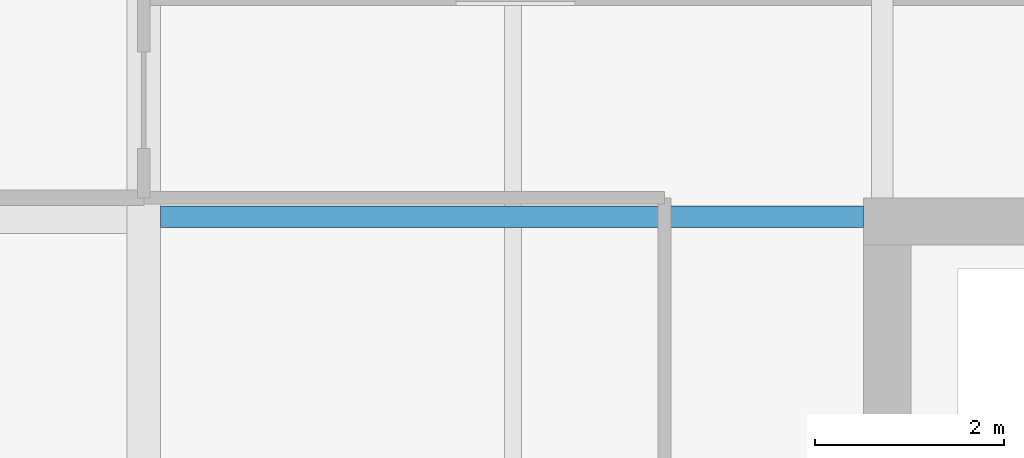
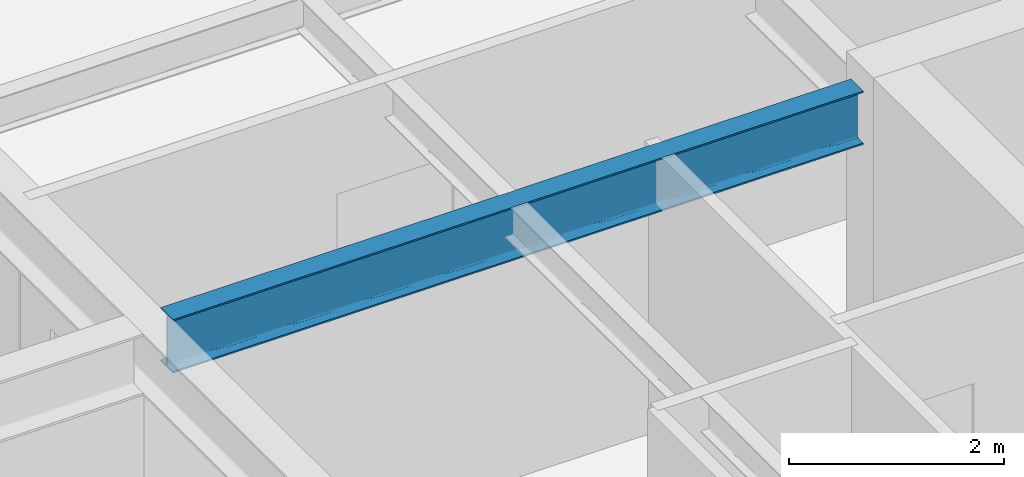
# One storey, part 18 of 33: 1 beam.
"""IFC4 building model written with IfcOpenShell, lengths in metres."""

from ifc_helpers import new_model, si_unit, direction, frame, origin, origin_2d, place, context, subcontext, project, spatial, i_section, extrude, material, material_profile, profile_set, type_object, element, save


model = new_model("IFC4")

# Units and contexts
model_context = context("Model", 3, precision=1e-05, world=origin(), true_north=direction((0.0, 1.0)))
body_context = subcontext(model_context, "Body", "Model", "MODEL_VIEW")
ifc_project = project(units=[si_unit("LENGTHUNIT", "METRE"), si_unit("AREAUNIT", "SQUARE_METRE"), si_unit("VOLUMEUNIT", "CUBIC_METRE"), si_unit("PLANEANGLEUNIT", "RADIAN"), si_unit("MASSUNIT", "GRAM", prefix="KILO")], contexts=[model_context])

# Site, building, storey
site_placement = place(None, origin())
site = spatial("IfcSite", under=ifc_project, at=site_placement, CompositionType="ELEMENT")
building_placement = place(site_placement, origin())
building = spatial("IfcBuilding", under=site, at=building_placement, Name="Drelvath Grand Hotel", CompositionType="ELEMENT")
storey_placement = place(building_placement, frame((0.0, 0.0, 178.800048828125)))
storey = spatial("IfcBuildingStorey", under=building, at=storey_placement, Name="L46", CompositionType="ELEMENT", Elevation=178.800048828125)

# Beam
ifc_material = material(Name="Steel ASTM A992 Gr 50", Category="steel")
ifc_material_profile = material_profile(ifc_material, i_section(OverallWidth=0.228271484375, OverallDepth=0.607666015625, WebThickness=0.01123046875, FlangeThickness=0.017333984375, FilletRadius=0.02001953125, at=origin_2d()), Name="W24X76")
ifc_profile_set = profile_set([ifc_material_profile], Name="Steel ASTM A992 Gr 50")
beam_type = type_object("IfcBeamType", Name="Primary Floor Girder W24X76", PredefinedType="BEAM", material=ifc_profile_set)
beam_placement = place(storey_placement, frame((-16.022705078125, 35.39990234375, 2.986083984375), z_axis=(1.0, 0.0, 0.0), x_axis=(0.0, 1.0, 0.0)))
element("IfcBeam", 1, at=beam_placement, inside=storey, type_object=beam_type, Name="L46 West Core Tie F", PredefinedType="BEAM", context=body_context, shape_type="SweptSolid", body=[
    extrude(i_section(OverallWidth=0.228271484375, OverallDepth=0.607666015625, WebThickness=0.01123046875, FlangeThickness=0.017333984375, FilletRadius=0.02001953125, at=origin_2d()), origin(), (0.0, 0.0, 1.0), 7.422607421875),
])

save(model, "model.ifc")
